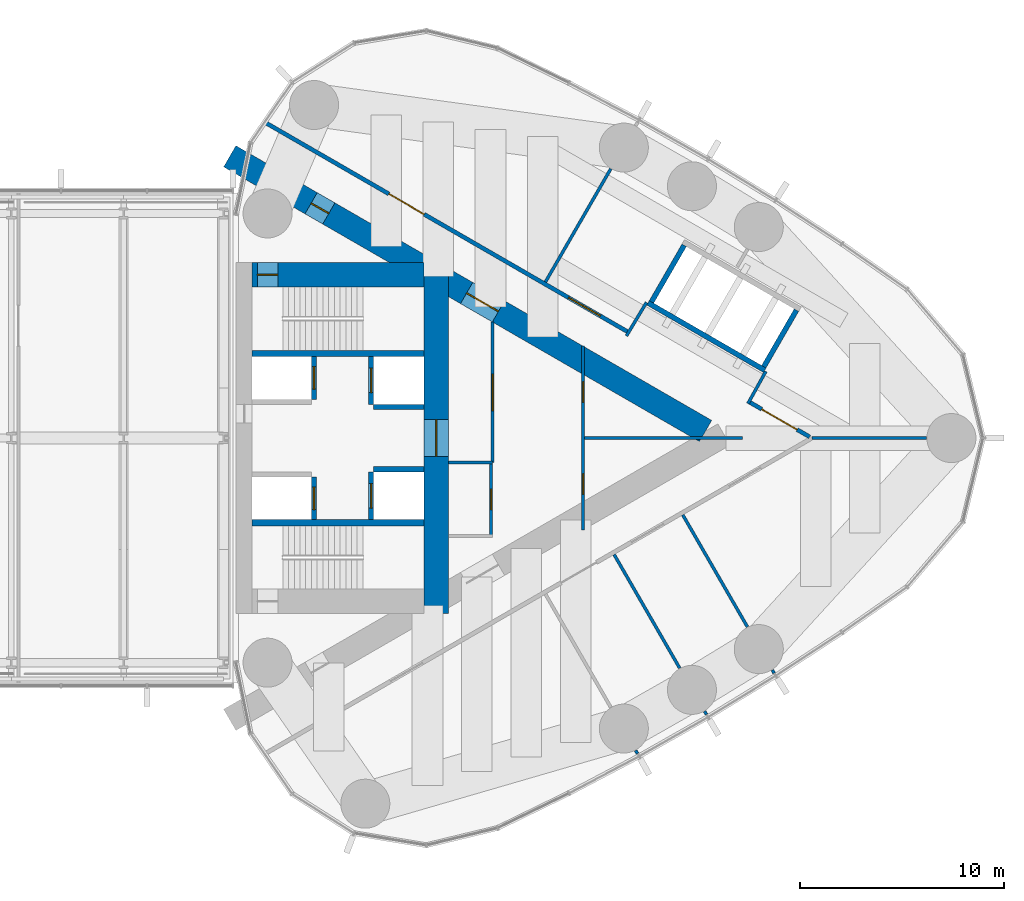
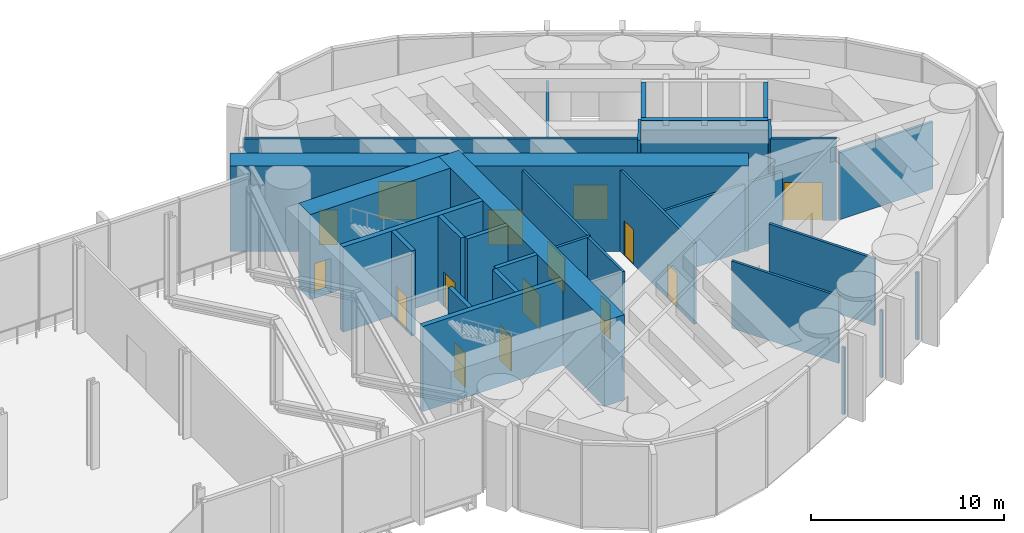
# One storey, part 18 of 21: 30 walls, 15 doors, 15 openings.
"""IFC4 building model written with IfcOpenShell, lengths in metres."""

from ifc_helpers import new_model, si_unit, direction, frame, frame_2d, origin, place, context, subcontext, project, spatial, rectangle, extrude, material, layer, layer_set, type_object, element, fill, save


model = new_model("IFC4")

# Units and contexts
model_context = context("Model", 3, precision=1e-05, world=origin(), true_north=direction((0.0, 1.0)))
body_context = subcontext(model_context, "Body", "Model", "MODEL_VIEW")
ifc_project = project(units=[si_unit("LENGTHUNIT", "METRE"), si_unit("AREAUNIT", "SQUARE_METRE"), si_unit("VOLUMEUNIT", "CUBIC_METRE"), si_unit("PLANEANGLEUNIT", "RADIAN"), si_unit("MASSUNIT", "GRAM", prefix="KILO")], contexts=[model_context])

# Site, building, storey
site_placement = place(None, origin())
site = spatial("IfcSite", under=ifc_project, at=site_placement, CompositionType="ELEMENT")
building_placement = place(site_placement, origin())
building = spatial("IfcBuilding", under=site, at=building_placement, Name="Lancet Gate Hotel", CompositionType="ELEMENT")
storey_placement = place(building_placement, frame((0.0, 0.0, 251.89990234375)))
storey = spatial("IfcBuildingStorey", under=building, at=storey_placement, Name="L67", CompositionType="ELEMENT", Elevation=251.89990234375)

# Wall, openings, doors
ifc_material_1 = material(Name="Concrete C70/85", Category="concrete")
ifc_layer_1 = layer(ifc_material_1, 1.199951171875)
ifc_layer_set_1 = layer_set([ifc_layer_1], Name="Buttress wall 1200")
wall_type_1 = type_object("IfcWallType", Name="Buttress wall 1200", PredefinedType="SHEAR", material=ifc_layer_set_1)
wall_1_placement = place(storey_placement, frame((27.199951171875, 13.800048828125, 0.0), z_axis=(0.0, 0.0, 1.0), x_axis=(0.866024515034, -0.500001539357, 0.0)))
wall_1 = element("IfcWall", 1, at=wall_1_placement, inside=storey, type_object=wall_type_1, Name="T2 buttress wall N L67", PredefinedType="SHEAR", context=body_context, shape_type="SweptSolid", body=[
    extrude(rectangle(XDim=26.9072265625, YDim=1.199951171875, at=frame_2d((13.45361328125, 0.0))), origin(), (0.0, 0.0, 1.0), 5.400146484375),
])
opening_1_placement = place(wall_1_placement, frame((4.60009765625, 0.0, 0.0)))
opening_1 = element("IfcOpeningElement", 2, at=opening_1_placement, cuts=wall_1, Name="Opening T2-L67-LN", PredefinedType="OPENING", context=body_context, shape_type="SweptSolid", body=[
    extrude(rectangle(XDim=1.0, YDim=2.199951171875, at=frame_2d((0.5, 1.10009765625))), frame((0.0, 0.60986328125, 0.0), z_axis=(0.0, -1.0, 0.0), x_axis=(1.0, 0.0, 0.0)), (0.0, 0.0, 1.0), 1.219970703125),
])
opening_2_placement = place(wall_1_placement, frame((13.39453125, 0.0, 0.0)))
opening_2 = element("IfcOpeningElement", 3, at=opening_2_placement, cuts=wall_1, Name="Opening T2-L67-LHN", PredefinedType="OPENING", context=body_context, shape_type="SweptSolid", body=[
    extrude(rectangle(XDim=1.800048828125, YDim=2.199951171875, at=frame_2d((0.89990234375, 1.10009765625))), frame((0.0, 0.60986328125, 0.0), z_axis=(0.0, -1.0, 0.0), x_axis=(1.0, 0.0, 0.0)), (0.0, 0.0, 1.0), 1.219970703125),
])
ifc_material_2 = material(Name="Timber door set", Category="wood")
door_type_1 = type_object("IfcDoorType", Name="Lobby double door 1800", OperationType="DOUBLE_DOOR_SINGLE_SWING", PredefinedType="DOOR", material=ifc_material_2)
door_1_placement = place(opening_2_placement, origin())
door_1 = element("IfcDoor", 4, at=door_1_placement, inside=storey, type_object=door_type_1, Name="T2-L67-LHN", OperationType="DOUBLE_DOOR_SINGLE_SWING", OverallHeight=2.199951171875, OverallWidth=1.800048828125, PredefinedType="DOOR", context=body_context, shape_type="SweptSolid", body=[
    extrude(rectangle(XDim=1.800048828125, YDim=2.199951171875, at=frame_2d((0.89990234375, 1.10009765625))), frame((0.0, 0.02490234375, 0.0), z_axis=(0.0, -1.0, 0.0), x_axis=(1.0, 0.0, 0.0)), (0.0, 0.0, 1.0), 0.050048828125),
])
fill(opening_2, door_1)
ifc_material_3 = material(Name="Timber door set", Category="wood")
door_type_2 = type_object("IfcDoorType", Name="Stair lobby door 1000", OperationType="SINGLE_SWING_LEFT", PredefinedType="DOOR", material=ifc_material_3)
door_2_placement = place(opening_1_placement, origin())
door_2 = element("IfcDoor", 5, at=door_2_placement, inside=storey, type_object=door_type_2, Name="T2-L67-LN", OperationType="SINGLE_SWING_LEFT", OverallHeight=2.199951171875, OverallWidth=1.0, PredefinedType="DOOR", context=body_context, shape_type="SweptSolid", body=[
    extrude(rectangle(XDim=1.0, YDim=2.199951171875, at=frame_2d((0.5, 1.10009765625))), frame((0.0, 0.02490234375, 0.0), z_axis=(0.0, -1.0, 0.0), x_axis=(1.0, 0.0, 0.0)), (0.0, 0.0, 1.0), 0.050048828125),
])
fill(opening_1, door_2)

# Wall, opening, door
ifc_material_4 = material(Name="Concrete C70/85", Category="concrete")
ifc_layer_2 = layer(ifc_material_4, 1.199951171875)
ifc_layer_set_2 = layer_set([ifc_layer_2], Name="Core wall 1200")
wall_type_2 = type_object("IfcWallType", Name="Core wall 1200", PredefinedType="SHEAR", material=ifc_layer_set_2)
wall_2_placement = place(storey_placement, frame((37.300048828125, -8.60009765625, 0.0), z_axis=(0.0, 0.0, 1.0), x_axis=(0.0, 1.0, 0.0)))
wall_2 = element("IfcWall", 6, at=wall_2_placement, inside=storey, type_object=wall_type_2, Name="T2 core wall back L67", PredefinedType="SHEAR", context=body_context, shape_type="SweptSolid", body=[
    extrude(rectangle(XDim=17.2001953125, YDim=1.199951171875, at=frame_2d((8.60009765625, 0.0))), origin(), (0.0, 0.0, 1.0), 5.400146484375),
])
opening_3_placement = place(wall_2_placement, frame((7.699951171875, 0.0, 0.0)))
opening_3 = element("IfcOpeningElement", 7, at=opening_3_placement, cuts=wall_2, Name="Opening T2-L67-LL", PredefinedType="OPENING", context=body_context, shape_type="SweptSolid", body=[
    extrude(rectangle(XDim=1.800048828125, YDim=2.199951171875, at=frame_2d((0.89990234375, 1.10009765625))), frame((0.0, 0.60986328125, 0.0), z_axis=(0.0, -1.0, 0.0), x_axis=(1.0, 0.0, 0.0)), (0.0, 0.0, 1.0), 1.219970703125),
])
door_3_placement = place(opening_3_placement, origin())
door_3 = element("IfcDoor", 8, at=door_3_placement, inside=storey, type_object=door_type_1, Name="T2-L67-LL", OperationType="DOUBLE_DOOR_SINGLE_SWING", OverallHeight=2.199951171875, OverallWidth=1.800048828125, PredefinedType="DOOR", context=body_context, shape_type="SweptSolid", body=[
    extrude(rectangle(XDim=1.800048828125, YDim=2.199951171875, at=frame_2d((0.89990234375, 1.10009765625))), frame((0.0, 0.02490234375, 0.0), z_axis=(0.0, -1.0, 0.0), x_axis=(1.0, 0.0, 0.0)), (0.0, 0.0, 1.0), 0.050048828125),
])
fill(opening_3, door_3)

wall_3_placement = place(storey_placement, frame((28.300048828125, 8.0, 0.0), z_axis=(0.0, 0.0, 1.0), x_axis=(1.0, 0.0, 0.0)))
wall_3 = element("IfcWall", 9, at=wall_3_placement, inside=storey, type_object=wall_type_2, Name="T2 core wall side-N L67", PredefinedType="SHEAR", context=body_context, shape_type="SweptSolid", body=[
    extrude(rectangle(XDim=8.39990234375, YDim=1.199951171875, at=frame_2d((4.199951171875, 0.0))), origin(), (0.0, 0.0, 1.0), 5.400146484375),
])
opening_4_placement = place(wall_3_placement, frame((0.25, 0.0, 0.0)))
opening_4 = element("IfcOpeningElement", 10, at=opening_4_placement, cuts=wall_3, Name="Opening T2-L67-ST2", PredefinedType="OPENING", context=body_context, shape_type="SweptSolid", body=[
    extrude(rectangle(XDim=1.0, YDim=2.199951171875, at=frame_2d((0.5, 1.10009765625))), frame((0.0, 0.60986328125, 0.0), z_axis=(0.0, -1.0, 0.0), x_axis=(1.0, 0.0, 0.0)), (0.0, 0.0, 1.0), 1.219970703125),
])
ifc_material_5 = material(Name="Timber door set", Category="wood")
door_type_3 = type_object("IfcDoorType", Name="Stair door 1000", OperationType="SINGLE_SWING_RIGHT", PredefinedType="DOOR", material=ifc_material_5)
door_4_placement = place(opening_4_placement, origin())
door_4 = element("IfcDoor", 11, at=door_4_placement, inside=storey, type_object=door_type_3, Name="T2-L67-ST2", OperationType="SINGLE_SWING_RIGHT", OverallHeight=2.199951171875, OverallWidth=1.0, PredefinedType="DOOR", context=body_context, shape_type="SweptSolid", body=[
    extrude(rectangle(XDim=1.0, YDim=2.199951171875, at=frame_2d((0.5, 1.10009765625))), frame((0.0, 0.02490234375, 0.0), z_axis=(0.0, -1.0, 0.0), x_axis=(1.0, 0.0, 0.0)), (0.0, 0.0, 1.0), 0.050048828125),
])
fill(opening_4, door_4)

# Wall, openings, doors
ifc_material_6 = material(Name="Gypsum board partition")
ifc_layer_3 = layer(ifc_material_6, 0.199951171875)
ifc_layer_set_3 = layer_set([ifc_layer_3], Name="Corridor wall 200")
wall_type_3 = type_object("IfcWallType", Name="Corridor wall 200", PredefinedType="PARTITIONING", material=ifc_layer_set_3)
wall_4_placement = place(storey_placement, frame((28.90673828125, 15.470458984375, 0.0), z_axis=(0.0, 0.0, 1.0), x_axis=(0.866026627509, -0.499997880441, 0.0)))
wall_4 = element("IfcWall", 12, at=wall_4_placement, inside=storey, type_object=wall_type_3, Name="T2 corridor wall 200 L67", PredefinedType="PARTITIONING", context=body_context, shape_type="SweptSolid", body=[
    extrude(rectangle(XDim=20.5634765625, YDim=0.199951171875, at=frame_2d((10.28173828125, 0.0))), origin(), (0.0, 0.0, 1.0), 5.150146484375),
])
opening_5_placement = place(wall_4_placement, frame((17.1806640625, 0.0, 0.0)))
opening_5 = element("IfcOpeningElement", 13, at=opening_5_placement, cuts=wall_4, Name="Opening T2-L67-DR07", PredefinedType="OPENING", context=body_context, shape_type="SweptSolid", body=[
    extrude(rectangle(XDim=1.800048828125, YDim=2.199951171875, at=frame_2d((0.89990234375, 1.10009765625))), frame((0.0, 0.10986328125, 0.0), z_axis=(0.0, -1.0, 0.0), x_axis=(1.0, 0.0, 0.0)), (0.0, 0.0, 1.0), 0.219970703125),
])
opening_6_placement = place(wall_4_placement, frame((7.02392578125, 0.0, 0.0)))
opening_6 = element("IfcOpeningElement", 14, at=opening_6_placement, cuts=wall_4, Name="Opening T2-L67-DR08", PredefinedType="OPENING", context=body_context, shape_type="SweptSolid", body=[
    extrude(rectangle(XDim=2.0, YDim=2.39990234375, at=frame_2d((1.0, 1.199951171875))), frame((0.0, 0.10986328125, 0.0), z_axis=(0.0, -1.0, 0.0), x_axis=(1.0, 0.0, 0.0)), (0.0, 0.0, 1.0), 0.219970703125),
])
ifc_material_7 = material(Name="Timber door set", Category="wood")
door_type_4 = type_object("IfcDoorType", Name="Double door 1800", OperationType="DOUBLE_DOOR_SINGLE_SWING", PredefinedType="DOOR", material=ifc_material_7)
door_5_placement = place(opening_5_placement, origin())
door_5 = element("IfcDoor", 15, at=door_5_placement, inside=storey, type_object=door_type_4, Name="T2-L67-DR07", OperationType="DOUBLE_DOOR_SINGLE_SWING", OverallHeight=2.199951171875, OverallWidth=1.800048828125, PredefinedType="DOOR", context=body_context, shape_type="SweptSolid", body=[
    extrude(rectangle(XDim=1.800048828125, YDim=2.199951171875, at=frame_2d((0.89990234375, 1.10009765625))), frame((0.0, 0.02490234375, 0.0), z_axis=(0.0, -1.0, 0.0), x_axis=(1.0, 0.0, 0.0)), (0.0, 0.0, 1.0), 0.050048828125),
])
fill(opening_5, door_5)
ifc_material_8 = material(Name="Timber door set", Category="wood")
door_type_5 = type_object("IfcDoorType", Name="Plant room double door 2000", OperationType="DOUBLE_DOOR_SINGLE_SWING", PredefinedType="DOOR", material=ifc_material_8)
door_6_placement = place(opening_6_placement, origin())
door_6 = element("IfcDoor", 16, at=door_6_placement, inside=storey, type_object=door_type_5, Name="T2-L67-DR08", OperationType="DOUBLE_DOOR_SINGLE_SWING", OverallHeight=2.39990234375, OverallWidth=2.0, PredefinedType="DOOR", context=body_context, shape_type="SweptSolid", body=[
    extrude(rectangle(XDim=2.0, YDim=2.39990234375, at=frame_2d((1.0, 1.199951171875))), frame((0.0, 0.02490234375, 0.0), z_axis=(0.0, -1.0, 0.0), x_axis=(1.0, 0.0, 0.0)), (0.0, 0.0, 1.0), 0.050048828125),
])
fill(opening_6, door_6)

# Wall, opening, door
wall_5_placement = place(storey_placement, frame((52.63916015625, 1.7685546875, 0.0), z_axis=(0.0, 0.0, 1.0), x_axis=(0.866027340901, -0.4999966448, 0.0)))
wall_5 = element("IfcWall", 17, at=wall_5_placement, inside=storey, type_object=wall_type_3, Name="T2 corridor wall 200 L67", PredefinedType="PARTITIONING", context=body_context, shape_type="SweptSolid", body=[
    extrude(rectangle(XDim=3.4169921875, YDim=0.199951171875, at=frame_2d((1.70849609375, 0.0))), origin(), (0.0, 0.0, 1.0), 5.150146484375),
])
opening_7_placement = place(wall_5_placement, frame((0.70849609375, 0.0, 0.0)))
opening_7 = element("IfcOpeningElement", 18, at=opening_7_placement, cuts=wall_5, Name="Opening T2-L67-DR05", PredefinedType="OPENING", context=body_context, shape_type="SweptSolid", body=[
    extrude(rectangle(XDim=2.0, YDim=2.39990234375, at=frame_2d((1.0, 1.199951171875))), frame((0.0, 0.10986328125, 0.0), z_axis=(0.0, -1.0, 0.0), x_axis=(1.0, 0.0, 0.0)), (0.0, 0.0, 1.0), 0.219970703125),
])
door_7_placement = place(opening_7_placement, origin())
door_7 = element("IfcDoor", 19, at=door_7_placement, inside=storey, type_object=door_type_5, Name="T2-L67-DR05", OperationType="DOUBLE_DOOR_SINGLE_SWING", OverallHeight=2.39990234375, OverallWidth=2.0, PredefinedType="DOOR", context=body_context, shape_type="SweptSolid", body=[
    extrude(rectangle(XDim=2.0, YDim=2.39990234375, at=frame_2d((1.0, 1.199951171875))), frame((0.0, 0.02490234375, 0.0), z_axis=(0.0, -1.0, 0.0), x_axis=(1.0, 0.0, 0.0)), (0.0, 0.0, 1.0), 0.050048828125),
])
fill(opening_7, door_7)

# Walls
ifc_material_9 = material(Name="Gypsum board partition")
ifc_layer_4 = layer(ifc_material_9, 0.25)
ifc_layer_set_4 = layer_set([ifc_layer_4], Name="Lift shaft partition 250")
wall_type_4 = type_object("IfcWallType", Name="Lift shaft partition 250", PredefinedType="PARTITIONING", material=ifc_layer_set_4)
wall_6_placement = place(storey_placement, frame((47.681396484375, 6.622314453125, 0.0), z_axis=(0.0, 0.0, 1.0), x_axis=(0.86603344179, -0.499986077507, 0.0)))
element("IfcWall", 20, at=wall_6_placement, inside=storey, type_object=wall_type_4, Name="T2 lift shaft wall HL L67", PredefinedType="PARTITIONING", context=body_context, shape_type="SweptSolid", body=[
    extrude(rectangle(XDim=6.600341796875, YDim=0.25, at=frame_2d((3.30029296875, 0.0))), origin(), (0.0, 0.0, 1.0), 5.150146484375),
])
wall_7_placement = place(storey_placement, frame((47.852294921875, 6.66796875, 0.0), z_axis=(0.0, 0.0, 1.0), x_axis=(0.499929347863, 0.866066190972, 0.0)))
element("IfcWall", 21, at=wall_7_placement, inside=storey, type_object=wall_type_4, Name="T2 lift shaft wall HL L67", PredefinedType="PARTITIONING", context=body_context, shape_type="SweptSolid", body=[
    extrude(rectangle(XDim=3.20068359375, YDim=0.25, at=frame_2d((1.600341796875, 0.0))), origin(), (0.0, 0.0, 1.0), 5.150146484375),
])
wall_8_placement = place(storey_placement, frame((53.351806640625, 3.492919921875, 0.0), z_axis=(0.0, 0.0, 1.0), x_axis=(0.499872130319, 0.866099216793, 0.0)))
element("IfcWall", 22, at=wall_8_placement, inside=storey, type_object=wall_type_4, Name="T2 lift shaft wall HL L67", PredefinedType="PARTITIONING", context=body_context, shape_type="SweptSolid", body=[
    extrude(rectangle(XDim=3.200439453125, YDim=0.25, at=frame_2d((1.60009765625, 0.0))), origin(), (0.0, 0.0, 1.0), 5.150146484375),
])

# Wall, opening, door
ifc_material_10 = material(Name="Concrete C50/60", Category="concrete")
ifc_layer_5 = layer(ifc_material_10, 0.25)
ifc_layer_set_5 = layer_set([ifc_layer_5], Name="Lift shaft wall 250")
wall_type_5 = type_object("IfcWallType", Name="Lift shaft wall 250", PredefinedType="SHEAR", material=ifc_layer_set_5)
wall_9_placement = place(storey_placement, frame((31.324951171875, -4.0, 0.0), z_axis=(0.0, 0.0, 1.0), x_axis=(0.0, 1.0, 0.0)))
wall_9 = element("IfcWall", 23, at=wall_9_placement, inside=storey, type_object=wall_type_5, Name="T2 core wall row1-S L67", PredefinedType="SHEAR", context=body_context, shape_type="SweptSolid", body=[
    extrude(rectangle(XDim=2.10009765625, YDim=0.25, at=frame_2d((1.050048828125, 0.0))), origin(), (0.0, 0.0, 1.0), 5.400146484375),
])
opening_8_placement = place(wall_9_placement, frame((0.5, 0.0, 0.0)))
opening_8 = element("IfcOpeningElement", 24, at=opening_8_placement, cuts=wall_9, Name="Opening T2-SL1-L67", PredefinedType="OPENING", context=body_context, shape_type="SweptSolid", body=[
    extrude(rectangle(XDim=1.10009765625, YDim=2.199951171875, at=frame_2d((0.550048828125, 1.10009765625))), frame((0.0, 0.135009765625, 0.0), z_axis=(0.0, -1.0, 0.0), x_axis=(1.0, 0.0, 0.0)), (0.0, 0.0, 1.0), 0.27001953125),
])
ifc_material_11 = material(Name="Timber door set", Category="wood")
door_type_6 = type_object("IfcDoorType", Name="Service lift landing door 1100", OperationType="SLIDING_TO_LEFT", PredefinedType="USERDEFINED", material=ifc_material_11)
door_8_placement = place(opening_8_placement, origin())
door_8 = element("IfcDoor", 25, at=door_8_placement, inside=storey, type_object=door_type_6, Name="T2-SL1-L67", ObjectType="LIFT LANDING DOOR", OperationType="SLIDING_TO_LEFT", OverallHeight=2.199951171875, OverallWidth=1.10009765625, PredefinedType="USERDEFINED", context=body_context, shape_type="SweptSolid", body=[
    extrude(rectangle(XDim=1.10009765625, YDim=2.199951171875, at=frame_2d((0.550048828125, 1.10009765625))), frame((0.0, 0.02490234375, 0.0), z_axis=(0.0, -1.0, 0.0), x_axis=(1.0, 0.0, 0.0)), (0.0, 0.0, 1.0), 0.050048828125),
])
fill(opening_8, door_8)

wall_10_placement = place(storey_placement, frame((34.125, -4.0, 0.0), z_axis=(0.0, 0.0, 1.0), x_axis=(0.0, 1.0, 0.0)))
wall_10 = element("IfcWall", 26, at=wall_10_placement, inside=storey, type_object=wall_type_5, Name="T2 core wall row2-S L67", PredefinedType="SHEAR", context=body_context, shape_type="SweptSolid", body=[
    extrude(rectangle(XDim=2.35009765625, YDim=0.25, at=frame_2d((1.175048828125, 0.0))), origin(), (0.0, 0.0, 1.0), 5.400146484375),
])
opening_9_placement = place(wall_10_placement, frame((0.574951171875, 0.0, 0.0)))
opening_9 = element("IfcOpeningElement", 27, at=opening_9_placement, cuts=wall_10, Name="Opening T2-OL3-L67", PredefinedType="OPENING", context=body_context, shape_type="SweptSolid", body=[
    extrude(rectangle(XDim=1.199951171875, YDim=2.199951171875, at=frame_2d((0.60009765625, 1.10009765625))), frame((0.0, 0.135009765625, 0.0), z_axis=(0.0, -1.0, 0.0), x_axis=(1.0, 0.0, 0.0)), (0.0, 0.0, 1.0), 0.27001953125),
])
ifc_material_12 = material(Name="Timber door set", Category="wood")
door_type_7 = type_object("IfcDoorType", Name="Shuttle lift landing door 1200", OperationType="DOUBLE_DOOR_SLIDING", PredefinedType="USERDEFINED", material=ifc_material_12)
door_9_placement = place(opening_9_placement, origin())
door_9 = element("IfcDoor", 28, at=door_9_placement, inside=storey, type_object=door_type_7, Name="T2-OL3-L67", ObjectType="LIFT LANDING DOOR", OperationType="DOUBLE_DOOR_SLIDING", OverallHeight=2.199951171875, OverallWidth=1.199951171875, PredefinedType="USERDEFINED", context=body_context, shape_type="SweptSolid", body=[
    extrude(rectangle(XDim=1.199951171875, YDim=2.199951171875, at=frame_2d((0.60009765625, 1.10009765625))), frame((0.0, 0.02490234375, 0.0), z_axis=(0.0, -1.0, 0.0), x_axis=(1.0, 0.0, 0.0)), (0.0, 0.0, 1.0), 0.050048828125),
])
fill(opening_9, door_9)

# Wall
wall_11_placement = place(storey_placement, frame((34.25, -1.52490234375, 0.0), z_axis=(0.0, 0.0, 1.0), x_axis=(1.0, 0.0, 0.0)))
element("IfcWall", 29, at=wall_11_placement, inside=storey, type_object=wall_type_5, Name="T2 core wall pass2-S L67", PredefinedType="SHEAR", context=body_context, shape_type="SweptSolid", body=[
    extrude(rectangle(XDim=2.449951171875, YDim=0.25, at=frame_2d((1.22509765625, 0.0))), origin(), (0.0, 0.0, 1.0), 5.400146484375),
])

# Wall, opening, door
wall_12_placement = place(storey_placement, frame((31.324951171875, 1.89990234375, 0.0), z_axis=(0.0, 0.0, 1.0), x_axis=(0.0, 1.0, 0.0)))
wall_12 = element("IfcWall", 30, at=wall_12_placement, inside=storey, type_object=wall_type_5, Name="T2 core wall row1-N L67", PredefinedType="SHEAR", context=body_context, shape_type="SweptSolid", body=[
    extrude(rectangle(XDim=2.10009765625, YDim=0.25, at=frame_2d((1.050048828125, 0.0))), origin(), (0.0, 0.0, 1.0), 5.400146484375),
])
opening_10_placement = place(wall_12_placement, frame((0.5, 0.0, 0.0)))
opening_10 = element("IfcOpeningElement", 31, at=opening_10_placement, cuts=wall_12, Name="Opening T2-FL2-L67", PredefinedType="OPENING", context=body_context, shape_type="SweptSolid", body=[
    extrude(rectangle(XDim=1.10009765625, YDim=2.199951171875, at=frame_2d((0.550048828125, 1.10009765625))), frame((0.0, 0.135009765625, 0.0), z_axis=(0.0, -1.0, 0.0), x_axis=(1.0, 0.0, 0.0)), (0.0, 0.0, 1.0), 0.27001953125),
])
ifc_material_13 = material(Name="Steel door set", Category="steel")
door_type_8 = type_object("IfcDoorType", Name="Firefighting lift landing door 1100", OperationType="SLIDING_TO_LEFT", PredefinedType="USERDEFINED", material=ifc_material_13)
door_10_placement = place(opening_10_placement, origin())
door_10 = element("IfcDoor", 32, at=door_10_placement, inside=storey, type_object=door_type_8, Name="T2-FL2-L67", ObjectType="LIFT LANDING DOOR", OperationType="SLIDING_TO_LEFT", OverallHeight=2.199951171875, OverallWidth=1.10009765625, PredefinedType="USERDEFINED", context=body_context, shape_type="SweptSolid", body=[
    extrude(rectangle(XDim=1.10009765625, YDim=2.199951171875, at=frame_2d((0.550048828125, 1.10009765625))), frame((0.0, 0.02490234375, 0.0), z_axis=(0.0, -1.0, 0.0), x_axis=(1.0, 0.0, 0.0)), (0.0, 0.0, 1.0), 0.050048828125),
])
fill(opening_10, door_10)

wall_13_placement = place(storey_placement, frame((34.125, 1.64990234375, 0.0), z_axis=(0.0, 0.0, 1.0), x_axis=(0.0, 1.0, 0.0)))
wall_13 = element("IfcWall", 33, at=wall_13_placement, inside=storey, type_object=wall_type_5, Name="T2 core wall row2-N L67", PredefinedType="SHEAR", context=body_context, shape_type="SweptSolid", body=[
    extrude(rectangle(XDim=2.35009765625, YDim=0.25, at=frame_2d((1.175048828125, 0.0))), origin(), (0.0, 0.0, 1.0), 5.400146484375),
])
opening_11_placement = place(wall_13_placement, frame((0.574951171875, 0.0, 0.0)))
opening_11 = element("IfcOpeningElement", 34, at=opening_11_placement, cuts=wall_13, Name="Opening T2-OL4-L67", PredefinedType="OPENING", context=body_context, shape_type="SweptSolid", body=[
    extrude(rectangle(XDim=1.199951171875, YDim=2.199951171875, at=frame_2d((0.60009765625, 1.10009765625))), frame((0.0, 0.135009765625, 0.0), z_axis=(0.0, -1.0, 0.0), x_axis=(1.0, 0.0, 0.0)), (0.0, 0.0, 1.0), 0.27001953125),
])
door_11_placement = place(opening_11_placement, origin())
door_11 = element("IfcDoor", 35, at=door_11_placement, inside=storey, type_object=door_type_7, Name="T2-OL4-L67", ObjectType="LIFT LANDING DOOR", OperationType="DOUBLE_DOOR_SLIDING", OverallHeight=2.199951171875, OverallWidth=1.199951171875, PredefinedType="USERDEFINED", context=body_context, shape_type="SweptSolid", body=[
    extrude(rectangle(XDim=1.199951171875, YDim=2.199951171875, at=frame_2d((0.60009765625, 1.10009765625))), frame((0.0, 0.02490234375, 0.0), z_axis=(0.0, -1.0, 0.0), x_axis=(1.0, 0.0, 0.0)), (0.0, 0.0, 1.0), 0.050048828125),
])
fill(opening_11, door_11)

# Walls
wall_14_placement = place(storey_placement, frame((34.25, 1.52490234375, 0.0), z_axis=(0.0, 0.0, 1.0), x_axis=(1.0, 0.0, 0.0)))
element("IfcWall", 36, at=wall_14_placement, inside=storey, type_object=wall_type_5, Name="T2 core wall pass2-N L67", PredefinedType="SHEAR", context=body_context, shape_type="SweptSolid", body=[
    extrude(rectangle(XDim=2.449951171875, YDim=0.25, at=frame_2d((1.22509765625, 0.0))), origin(), (0.0, 0.0, 1.0), 5.400146484375),
])
ifc_material_14 = material(Name="Gypsum board partition")
ifc_layer_6 = layer(ifc_material_14, 0.14990234375)
ifc_layer_set_6 = layer_set([ifc_layer_6], Name="Party wall 150")
wall_type_6 = type_object("IfcWallType", Name="Party wall 150", PredefinedType="PARTITIONING", material=ifc_layer_set_6)
wall_15_placement = place(storey_placement, frame((47.078857421875, -15.2998046875, 0.0), z_axis=(0.0, 0.0, 1.0), x_axis=(0.499212083968, -0.866479829667, 0.0)))
element("IfcWall", 37, at=wall_15_placement, inside=storey, type_object=wall_type_6, Name="T2 party wall 150 L67", PredefinedType="PARTITIONING", context=body_context, shape_type="SweptSolid", body=[
    extrude(rectangle(XDim=0.179443359375, YDim=0.14990234375, at=frame_2d((0.08984375, 0.0))), origin(), (0.0, 0.0, 1.0), 4.25),
])
wall_16_placement = place(storey_placement, frame((46.02294921875, -5.703857421875, 0.0), z_axis=(0.0, 0.0, 1.0), x_axis=(0.499984478165, -0.866034365135, 0.0)))
element("IfcWall", 38, at=wall_16_placement, inside=storey, type_object=wall_type_6, Name="T2 party wall 150 L67", PredefinedType="PARTITIONING", context=body_context, shape_type="SweptSolid", body=[
    extrude(rectangle(XDim=6.425537109375, YDim=0.14990234375, at=frame_2d((3.212890625, 0.0))), origin(), (0.0, 0.0, 1.0), 4.25),
])
wall_17_placement = place(storey_placement, frame((50.45556640625, -13.381591796875, 0.0), z_axis=(0.0, 0.0, 1.0), x_axis=(0.500661834965, -0.865642955848, 0.0)))
element("IfcWall", 39, at=wall_17_placement, inside=storey, type_object=wall_type_6, Name="T2 party wall 150 L67", PredefinedType="PARTITIONING", context=body_context, shape_type="SweptSolid", body=[
    extrude(rectangle(XDim=0.179931640625, YDim=0.14990234375, at=frame_2d((0.08984375, 0.0))), origin(), (0.0, 0.0, 1.0), 4.25),
])
wall_18_placement = place(storey_placement, frame((49.38525390625, -3.7626953125, 0.0), z_axis=(0.0, 0.0, 1.0), x_axis=(0.499999447814, -0.866025722589, 0.0)))
element("IfcWall", 40, at=wall_18_placement, inside=storey, type_object=wall_type_6, Name="T2 party wall 150 L67", PredefinedType="PARTITIONING", context=body_context, shape_type="SweptSolid", body=[
    extrude(rectangle(XDim=6.33251953125, YDim=0.14990234375, at=frame_2d((3.166259765625, 0.0))), origin(), (0.0, 0.0, 1.0), 4.25),
])
wall_19_placement = place(storey_placement, frame((53.771484375, -11.35986328125, 0.0), z_axis=(0.0, 0.0, 1.0), x_axis=(0.499524978789, -0.866299483762, 0.0)))
element("IfcWall", 41, at=wall_19_placement, inside=storey, type_object=wall_type_6, Name="T2 party wall 150 L67", PredefinedType="PARTITIONING", context=body_context, shape_type="SweptSolid", body=[
    extrude(rectangle(XDim=0.178466796875, YDim=0.14990234375, at=frame_2d((0.08935546875, 0.0))), origin(), (0.0, 0.0, 1.0), 4.25),
])
wall_20_placement = place(storey_placement, frame((42.65966796875, 7.6455078125, 0.0), z_axis=(0.0, 0.0, 1.0), x_axis=(0.499996592859, 0.866027370889, 0.0)))
element("IfcWall", 42, at=wall_20_placement, inside=storey, type_object=wall_type_6, Name="T2 party wall 150 L67", PredefinedType="PARTITIONING", context=body_context, shape_type="SweptSolid", body=[
    extrude(rectangle(XDim=6.3984375, YDim=0.14990234375, at=frame_2d((3.19921875, 0.0))), origin(), (0.0, 0.0, 1.0), 4.25),
])
wall_21_placement = place(storey_placement, frame((55.7021484375, 0.0, 0.0), z_axis=(0.0, 0.0, 1.0), x_axis=(1.0, 0.0, 0.0)))
element("IfcWall", 43, at=wall_21_placement, inside=storey, type_object=wall_type_6, Name="T2 party wall 150 L67", PredefinedType="PARTITIONING", context=body_context, shape_type="SweptSolid", body=[
    extrude(rectangle(XDim=5.619384765625, YDim=0.14990234375, at=frame_2d((2.8095703125, 0.0))), origin(), (0.0, 0.0, 1.0), 4.25),
])
ifc_material_15 = material(Name="Gypsum board partition")
ifc_layer_7 = layer(ifc_material_15, 0.14990234375)
ifc_layer_set_7 = layer_set([ifc_layer_7], Name="Service room wall 150")
wall_type_7 = type_object("IfcWallType", Name="Service room wall 150", PredefinedType="PARTITIONING", material=ifc_layer_set_7)
wall_22_placement = place(storey_placement, frame((47.6064453125, 6.642333984375, 0.0), z_axis=(0.0, 0.0, 1.0), x_axis=(-0.51353662755, -0.858067673418, 0.0)))
element("IfcWall", 44, at=wall_22_placement, inside=storey, type_object=wall_type_7, Name="T2 service room wall 150 L67", PredefinedType="PARTITIONING", context=body_context, shape_type="SweptSolid", body=[
    extrude(rectangle(XDim=1.90966796875, YDim=0.14990234375, at=frame_2d((0.954833984375, 0.0))), origin(), (0.0, 0.0, 1.0), 5.150146484375),
])
wall_23_placement = place(storey_placement, frame((52.576171875, 1.689453125, 0.0), z_axis=(0.0, 0.0, 1.0), x_axis=(0.485482130951, 0.874246590229, 0.0)))
element("IfcWall", 45, at=wall_23_placement, inside=storey, type_object=wall_type_7, Name="T2 service room wall 150 L67", PredefinedType="PARTITIONING", context=body_context, shape_type="SweptSolid", body=[
    extrude(rectangle(XDim=1.804931640625, YDim=0.14990234375, at=frame_2d((0.90234375, 0.0))), origin(), (0.0, 0.0, 1.0), 5.150146484375),
])
wall_24_placement = place(storey_placement, frame((37.89990234375, -1.199951171875, 0.0), z_axis=(0.0, 0.0, 1.0), x_axis=(1.0, 0.0, 0.0)))
element("IfcWall", 46, at=wall_24_placement, inside=storey, type_object=wall_type_7, Name="T2 service room wall 150 L67", PredefinedType="PARTITIONING", context=body_context, shape_type="SweptSolid", body=[
    extrude(rectangle(XDim=2.175048828125, YDim=0.14990234375, at=frame_2d((1.08740234375, 0.0))), origin(), (0.0, 0.0, 1.0), 5.150146484375),
])

# Wall, opening, door
wall_25_placement = place(storey_placement, frame((40.0, -4.875, 0.0), z_axis=(0.0, 0.0, 1.0), x_axis=(0.0, 1.0, 0.0)))
wall_25 = element("IfcWall", 47, at=wall_25_placement, inside=storey, type_object=wall_type_7, Name="T2 service room wall 150 L67", PredefinedType="PARTITIONING", context=body_context, shape_type="SweptSolid", body=[
    extrude(rectangle(XDim=3.75, YDim=0.14990234375, at=frame_2d((1.875, 0.0))), origin(), (0.0, 0.0, 1.0), 5.150146484375),
])
opening_12_placement = place(wall_25_placement, frame((1.375, 0.0, 0.0)))
opening_12 = element("IfcOpeningElement", 48, at=opening_12_placement, cuts=wall_25, Name="Opening T2-L67-HRS0", PredefinedType="OPENING", context=body_context, shape_type="SweptSolid", body=[
    extrude(rectangle(XDim=1.0, YDim=2.199951171875, at=frame_2d((0.5, 1.10009765625))), frame((0.0, 0.0849609375, 0.0), z_axis=(0.0, -1.0, 0.0), x_axis=(1.0, 0.0, 0.0)), (0.0, 0.0, 1.0), 0.169921875),
])
ifc_material_16 = material(Name="Timber door set", Category="wood")
door_type_9 = type_object("IfcDoorType", Name="Service door 1000", OperationType="SINGLE_SWING_LEFT", PredefinedType="DOOR", material=ifc_material_16)
door_12_placement = place(opening_12_placement, origin())
door_12 = element("IfcDoor", 49, at=door_12_placement, inside=storey, type_object=door_type_9, Name="T2-L67-HRS0", OperationType="SINGLE_SWING_LEFT", OverallHeight=2.199951171875, OverallWidth=1.0, PredefinedType="DOOR", context=body_context, shape_type="SweptSolid", body=[
    extrude(rectangle(XDim=1.0, YDim=2.199951171875, at=frame_2d((0.5, 1.10009765625))), frame((0.0, 0.02490234375, 0.0), z_axis=(0.0, -1.0, 0.0), x_axis=(1.0, 0.0, 0.0)), (0.0, 0.0, 1.0), 0.050048828125),
])
fill(opening_12, door_12)

wall_26_placement = place(storey_placement, frame((40.074951171875, -1.199951171875, 0.0), z_axis=(0.0, 0.0, 1.0), x_axis=(0.0, 1.0, 0.0)))
wall_26 = element("IfcWall", 50, at=wall_26_placement, inside=storey, type_object=wall_type_7, Name="T2 service room wall 150 L67", PredefinedType="PARTITIONING", context=body_context, shape_type="SweptSolid", body=[
    extrude(rectangle(XDim=6.873779296875, YDim=0.14990234375, at=frame_2d((3.43701171875, 0.0))), origin(), (0.0, 0.0, 1.0), 5.150146484375),
])
opening_13_placement = place(wall_26_placement, frame((2.536865234375, 0.0, 0.0)))
opening_13 = element("IfcOpeningElement", 51, at=opening_13_placement, cuts=wall_26, Name="Opening T2-L67-LH", PredefinedType="OPENING", context=body_context, shape_type="SweptSolid", body=[
    extrude(rectangle(XDim=1.800048828125, YDim=2.199951171875, at=frame_2d((0.89990234375, 1.10009765625))), frame((0.0, 0.0849609375, 0.0), z_axis=(0.0, -1.0, 0.0), x_axis=(1.0, 0.0, 0.0)), (0.0, 0.0, 1.0), 0.169921875),
])
door_13_placement = place(opening_13_placement, origin())
door_13 = element("IfcDoor", 52, at=door_13_placement, inside=storey, type_object=door_type_1, Name="T2-L67-LH", OperationType="DOUBLE_DOOR_SINGLE_SWING", OverallHeight=2.199951171875, OverallWidth=1.800048828125, PredefinedType="DOOR", context=body_context, shape_type="SweptSolid", body=[
    extrude(rectangle(XDim=1.800048828125, YDim=2.199951171875, at=frame_2d((0.89990234375, 1.10009765625))), frame((0.0, 0.02490234375, 0.0), z_axis=(0.0, -1.0, 0.0), x_axis=(1.0, 0.0, 0.0)), (0.0, 0.0, 1.0), 0.050048828125),
])
fill(opening_13, door_13)

# Wall, openings, doors
wall_27_placement = place(storey_placement, frame((44.5, -4.504638671875, 0.0), z_axis=(0.0, 0.0, 1.0), x_axis=(0.0, 1.0, 0.0)))
wall_27 = element("IfcWall", 53, at=wall_27_placement, inside=storey, type_object=wall_type_7, Name="T2 service room wall 150 L67", PredefinedType="PARTITIONING", context=body_context, shape_type="SweptSolid", body=[
    extrude(rectangle(XDim=9.00927734375, YDim=0.14990234375, at=frame_2d((4.504638671875, 0.0))), origin(), (0.0, 0.0, 1.0), 5.150146484375),
])
opening_14_placement = place(wall_27_placement, frame((1.752197265625, 0.0, 0.0)))
opening_14 = element("IfcOpeningElement", 54, at=opening_14_placement, cuts=wall_27, Name="Opening T2-L67-SV", PredefinedType="OPENING", context=body_context, shape_type="SweptSolid", body=[
    extrude(rectangle(XDim=1.0, YDim=2.199951171875, at=frame_2d((0.5, 1.10009765625))), frame((0.0, 0.0849609375, 0.0), z_axis=(0.0, -1.0, 0.0), x_axis=(1.0, 0.0, 0.0)), (0.0, 0.0, 1.0), 0.169921875),
])
opening_15_placement = place(wall_27_placement, frame((6.2568359375, 0.0, 0.0)))
opening_15 = element("IfcOpeningElement", 55, at=opening_15_placement, cuts=wall_27, Name="Opening T2-L67-SV2", PredefinedType="OPENING", context=body_context, shape_type="SweptSolid", body=[
    extrude(rectangle(XDim=1.0, YDim=2.199951171875, at=frame_2d((0.5, 1.10009765625))), frame((0.0, 0.0849609375, 0.0), z_axis=(0.0, -1.0, 0.0), x_axis=(1.0, 0.0, 0.0)), (0.0, 0.0, 1.0), 0.169921875),
])
door_14_placement = place(opening_14_placement, origin())
door_14 = element("IfcDoor", 56, at=door_14_placement, inside=storey, type_object=door_type_9, Name="T2-L67-SV", OperationType="SINGLE_SWING_LEFT", OverallHeight=2.199951171875, OverallWidth=1.0, PredefinedType="DOOR", context=body_context, shape_type="SweptSolid", body=[
    extrude(rectangle(XDim=1.0, YDim=2.199951171875, at=frame_2d((0.5, 1.10009765625))), frame((0.0, 0.02490234375, 0.0), z_axis=(0.0, -1.0, 0.0), x_axis=(1.0, 0.0, 0.0)), (0.0, 0.0, 1.0), 0.050048828125),
])
fill(opening_14, door_14)
door_15_placement = place(opening_15_placement, origin())
door_15 = element("IfcDoor", 57, at=door_15_placement, inside=storey, type_object=door_type_9, Name="T2-L67-SV2", OperationType="SINGLE_SWING_LEFT", OverallHeight=2.199951171875, OverallWidth=1.0, PredefinedType="DOOR", context=body_context, shape_type="SweptSolid", body=[
    extrude(rectangle(XDim=1.0, YDim=2.199951171875, at=frame_2d((0.5, 1.10009765625))), frame((0.0, 0.02490234375, 0.0), z_axis=(0.0, -1.0, 0.0), x_axis=(1.0, 0.0, 0.0)), (0.0, 0.0, 1.0), 0.050048828125),
])
fill(opening_15, door_15)

# Walls
wall_28_placement = place(storey_placement, frame((44.574951171875, 0.0, 0.0), z_axis=(0.0, 0.0, 1.0), x_axis=(1.0, 0.0, 0.0)))
element("IfcWall", 58, at=wall_28_placement, inside=storey, type_object=wall_type_7, Name="T2 service room wall 150 L67", PredefinedType="PARTITIONING", context=body_context, shape_type="SweptSolid", body=[
    extrude(rectangle(XDim=7.727294921875, YDim=0.14990234375, at=frame_2d((3.86376953125, 0.0))), origin(), (0.0, 0.0, 1.0), 4.25),
])
ifc_material_17 = material(Name="Concrete C50/60", Category="concrete")
ifc_layer_8 = layer(ifc_material_17, 0.300048828125)
ifc_layer_set_8 = layer_set([ifc_layer_8], Name="Stair enclosure wall 300")
wall_type_8 = type_object("IfcWallType", Name="Stair enclosure wall 300", PredefinedType="SHEAR", material=ifc_layer_set_8)
for number, where, z_axis, x_axis, name in (
    (59, (28.300048828125, -4.14990234375, 0.0), (0.0, 0.0, 1.0), (1.0, 0.0, 0.0), "T2 core wall stair-S L67"),
    (60, (28.300048828125, 4.14990234375, 0.0), (0.0, 0.0, 1.0), (1.0, 0.0, 0.0), "T2 core wall stair-N L67"),
):
    element("IfcWall", number, at=place(storey_placement, frame(where, z_axis=z_axis, x_axis=x_axis)), inside=storey, type_object=wall_type_8, Name=name, PredefinedType="SHEAR", context=body_context, shape_type="SweptSolid", body=[
        extrude(rectangle(XDim=8.39990234375, YDim=0.300048828125, at=frame_2d((4.199951171875, 0.0))), origin(), (0.0, 0.0, 1.0), 5.400146484375),
    ])

save(model, "model.ifc")
